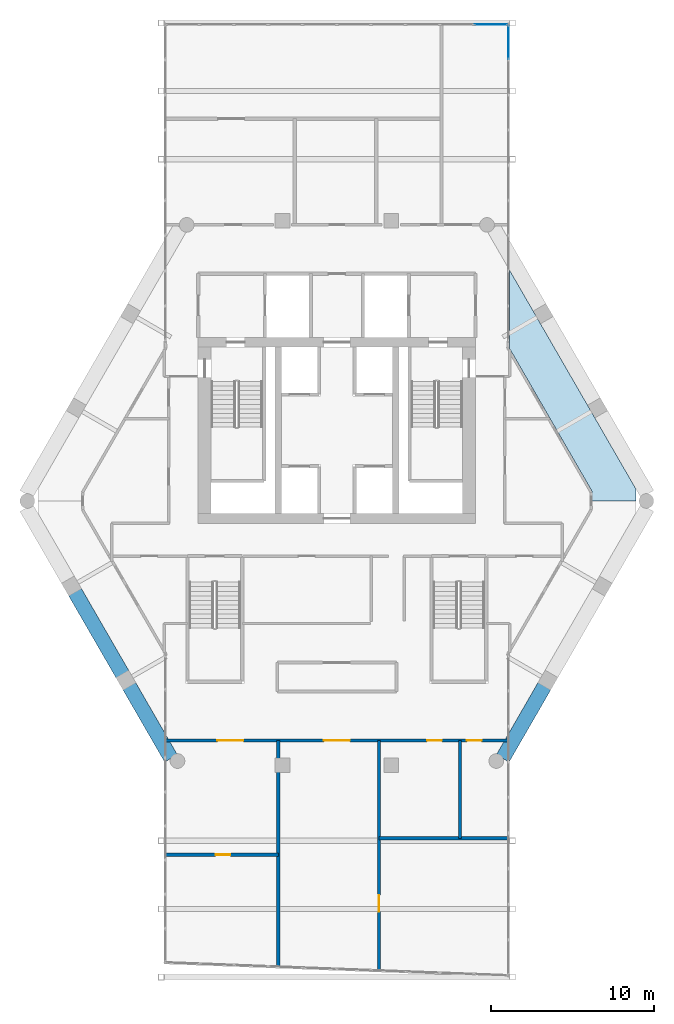
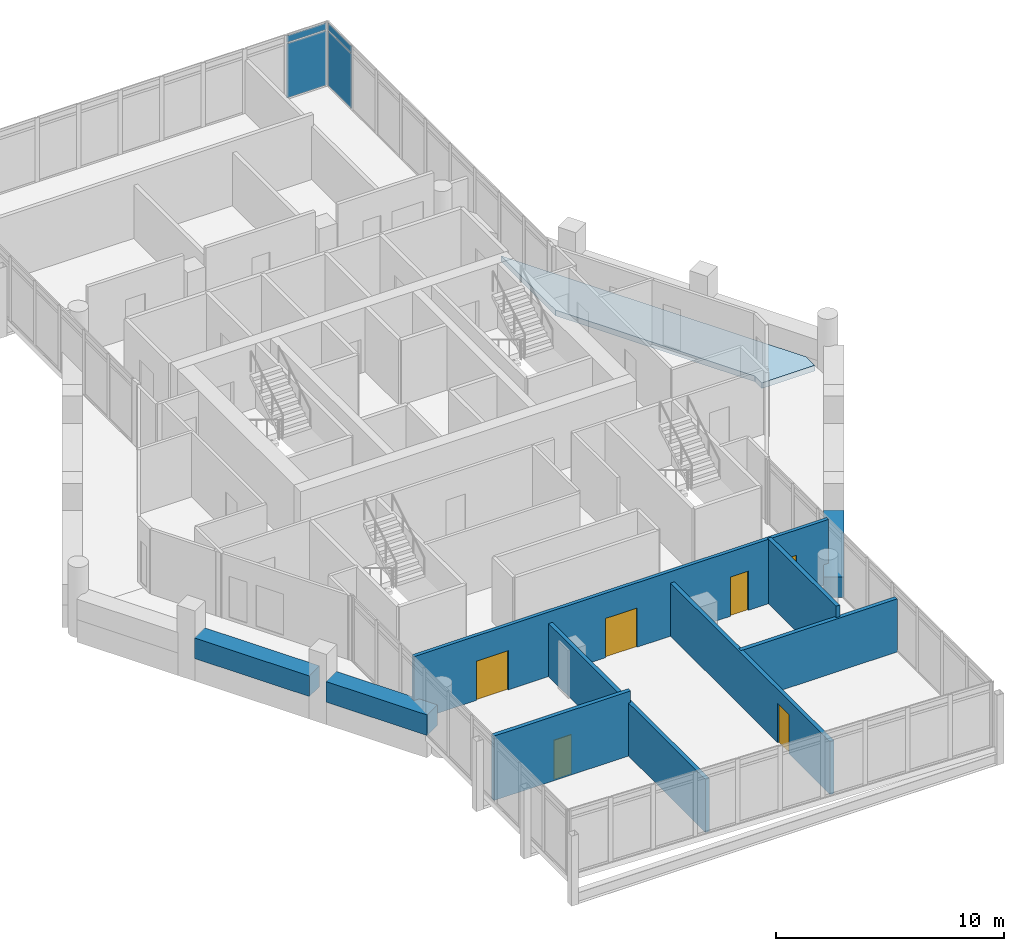
# One storey, part 20 of 25: 9 walls, 6 doors, 4 plates, 1 slab, 6 openings, 2 elements without a shape of their own.
"""IFC4 building model written with IfcOpenShell, lengths in metres."""

from ifc_helpers import new_model, si_unit, direction, frame, frame_2d, origin, origin_2d, place, context, subcontext, project, spatial, polyline, rectangle, outline, extrude, material, layer, layer_set, type_object, element, fill, aggregate, save


model = new_model("IFC4")

# Units and contexts
model_context = context("Model", 3, precision=1e-05, world=origin(), true_north=direction((0.0, 1.0)))
body_context = subcontext(model_context, "Body", "Model", "MODEL_VIEW")
ifc_project = project(units=[si_unit("LENGTHUNIT", "METRE"), si_unit("AREAUNIT", "SQUARE_METRE"), si_unit("VOLUMEUNIT", "CUBIC_METRE"), si_unit("PLANEANGLEUNIT", "RADIAN"), si_unit("MASSUNIT", "GRAM", prefix="KILO")], contexts=[model_context])

# Site, building, storey
site_placement = place(None, origin())
site = spatial("IfcSite", under=ifc_project, at=site_placement, CompositionType="ELEMENT")
building_placement = place(site_placement, origin())
building = spatial("IfcBuilding", under=site, at=building_placement, Name="Ostrander Bayou Hotel Tower", CompositionType="ELEMENT")
storey_placement = place(building_placement, frame((0.0, 0.0, 229.5)))
storey = spatial("IfcBuildingStorey", under=building, at=storey_placement, Name="L57", CompositionType="ELEMENT", Elevation=229.5)

# Curtain wall, plates
ifc_material_1 = material(Name="Aluminium and clear glass", Category="aluminium")
curtain_wall_type = type_object("IfcCurtainWallType", Name="CW-BAR glazed wall", PredefinedType="NOTDEFINED", material=ifc_material_1)
curtain_wall_1_placement = place(storey_placement, origin())
curtain_wall_1 = element("IfcCurtainWall", 1, at=curtain_wall_1_placement, inside=storey, type_object=curtain_wall_type, Name="CW-BAR L57:SB5N:T", PredefinedType="NOTDEFINED")
ifc_material_2 = material(Name="Clear laminated glass", Category="glass")
ifc_layer_1 = layer(ifc_material_2, 0.028076171875)
ifc_layer_set_1 = layer_set([ifc_layer_1], Name="CW-BR glazing panel 28 mm")
plate_type = type_object("IfcPlateType", Name="CW-BR glazing panel 28 mm", PredefinedType="CURTAIN_PANEL", material=ifc_layer_set_1)
plate_1_placement = place(storey_placement, frame((9.446044921875, 28.86669921875, 0.06005859375), z_axis=(0.0, 0.0, 1.0), x_axis=(1.0, 0.0, 0.0)))
plate_1 = element("IfcPlate", 2, at=plate_1_placement, type_object=plate_type, Name="CW-BAR panel 10.1", PredefinedType="CURTAIN_PANEL", context=body_context, shape_type="SweptSolid", body=[
    extrude(rectangle(XDim=2.012451171875, YDim=0.028076171875, at=origin_2d()), origin(), (0.0, 0.0, 1.0), 2.909912109375),
])
plate_2_placement = place(storey_placement, frame((9.446044921875, 28.86669921875, 3.02978515625), z_axis=(0.0, 0.0, 1.0), x_axis=(1.0, 0.0, 0.0)))
plate_2 = element("IfcPlate", 3, at=plate_2_placement, type_object=plate_type, Name="CW-BAR panel 10.2", PredefinedType="CURTAIN_PANEL", context=body_context, shape_type="SweptSolid", body=[
    extrude(rectangle(XDim=2.012451171875, YDim=0.028076171875, at=origin_2d()), origin(), (0.0, 0.0, 1.0), 0.360107421875),
])
aggregate(curtain_wall_1, [plate_1, plate_2])

curtain_wall_2_placement = place(storey_placement, origin())
curtain_wall_2 = element("IfcCurtainWall", 4, at=curtain_wall_2_placement, inside=storey, type_object=curtain_wall_type, Name="CW-BAR L57:SB5N:W", PredefinedType="NOTDEFINED")
plate_3_placement = place(storey_placement, frame((10.51220703125, 27.773681640625, 0.06005859375), z_axis=(0.0, 0.0, 1.0), x_axis=(0.0, 1.0, 0.0)))
plate_3 = element("IfcPlate", 5, at=plate_3_placement, type_object=plate_type, Name="CW-BAR panel 9.1", PredefinedType="CURTAIN_PANEL", context=body_context, shape_type="SweptSolid", body=[
    extrude(rectangle(XDim=2.065673828125, YDim=0.028076171875, at=origin_2d()), origin(), (0.0, 0.0, 1.0), 2.909912109375),
])
plate_4_placement = place(storey_placement, frame((10.51220703125, 27.773681640625, 3.02978515625), z_axis=(0.0, 0.0, 1.0), x_axis=(0.0, 1.0, 0.0)))
plate_4 = element("IfcPlate", 6, at=plate_4_placement, type_object=plate_type, Name="CW-BAR panel 9.2", PredefinedType="CURTAIN_PANEL", context=body_context, shape_type="SweptSolid", body=[
    extrude(rectangle(XDim=2.065673828125, YDim=0.028076171875, at=origin_2d()), origin(), (0.0, 0.0, 1.0), 0.360107421875),
])
aggregate(curtain_wall_2, [plate_3, plate_4])

# Slab
ifc_material_3 = material(Name="Concrete f'c 40 MPa", Category="concrete")
ifc_layer_2 = layer(ifc_material_3, 0.300048828125)
ifc_layer_set_2 = layer_set([ifc_layer_2], Name="SL4 loggia slab 300 mm f'c 40 MPa")
slab_type = type_object("IfcSlabType", Name="SL4 loggia slab 300 mm f'c 40 MPa", PredefinedType="FLOOR", material=ifc_layer_set_2)
slab_placement = place(storey_placement, frame((0.0, 0.0, -0.300048828125)))
element("IfcSlab", 7, at=slab_placement, inside=storey, type_object=slab_type, Name="SL4 LOGGIA L57 NE 1", PredefinedType="FLOOR", context=body_context, shape_type="SweptSolid", body=[
    extrude(outline(polyline([(10.587158203125, 13.807861328125), (18.2138671875, 0.59814453125), (18.315185546875, 0.422607421875), (18.315185546875, -0.327392578125), (15.63037109375, -0.327392578125), (15.63037109375, 0.272705078125), (10.587158203125, 9.0078125), (10.587158203125, 13.807861328125)])), origin(), (0.0, 0.0, 1.0), 0.300048828125),
])

# Walls
ifc_material_4 = material(Name="Limestone masonry", Category="masonry")
ifc_layer_3 = layer(ifc_material_4, 0.89990234375)
ifc_layer_set_3 = layer_set([ifc_layer_3], Name="PA2 limestone parapet 900 mm")
wall_type_1 = type_object("IfcWallType", Name="PA2 limestone parapet 900 mm", PredefinedType="PARAPET", material=ifc_layer_set_3)
wall_1_placement = place(storey_placement, frame((-16.047119140625, -5.905517578125, 0.0), z_axis=(0.0, 0.0, 1.0), x_axis=(0.500015433515, -0.866016493057, 0.0)))
element("IfcWall", 8, at=wall_1_placement, inside=storey, type_object=wall_type_1, Name="PA2 L57 SW-2", PredefinedType="PARAPET", context=body_context, shape_type="SweptSolid", body=[
    extrude(rectangle(XDim=5.818603515625, YDim=0.89990234375, at=frame_2d((2.9091796875, 0.0))), origin(), (0.0, 0.0, 1.0), 1.10009765625),
])
for number, where, z_axis, x_axis, name in (
    (9, (-12.7177734375, -11.672119140625, 0.0), (0.0, 0.0, 1.0), (0.500015879365, -0.866016235635, 0.0), "PA2 L57 SW-3"),
    (10, (10.160888671875, -16.1005859375, 0.0), (0.0, 0.0, 1.0), (0.500015879365, 0.866016235635, 0.0), "PA2 L57 SE-1"),
):
    element("IfcWall", number, at=place(storey_placement, frame(where, z_axis=z_axis, x_axis=x_axis)), inside=storey, type_object=wall_type_1, Name=name, PredefinedType="PARAPET", context=body_context, shape_type="SweptSolid", body=[
        extrude(rectangle(XDim=5.113525390625, YDim=0.89990234375, at=frame_2d((2.556640625, 0.0))), origin(), (0.0, 0.0, 1.0), 1.10009765625),
    ])

# Wall, opening, door
ifc_material_5 = material(Name="Gypsum board partition", Category="finish")
ifc_layer_4 = layer(ifc_material_5, 0.199951171875)
ifc_layer_set_4 = layer_set([ifc_layer_4], Name="PT3 demising wall 200 mm acoustic double stud, 1 hour")
wall_type_2 = type_object("IfcWallType", Name="PT3 demising wall 200 mm acoustic double stud, 1 hour", PredefinedType="PARTITIONING", material=ifc_layer_set_4)
wall_2_placement = place(storey_placement, frame((-10.4931640625, -22.0, 0.0), z_axis=(0.0, 0.0, 1.0), x_axis=(1.0, 0.0, 0.0)))
wall_2 = element("IfcWall", 11, at=wall_2_placement, inside=storey, type_object=wall_type_2, Name="sw:L57:510", PredefinedType="PARTITIONING", context=body_context, shape_type="SweptSolid", body=[
    extrude(rectangle(XDim=6.906005859375, YDim=0.199951171875, at=frame_2d((3.453125, 0.0))), origin(), (0.0, 0.0, 1.0), 3.449951171875),
])
opening_1_placement = place(wall_2_placement, frame((3.071044921875, 0.0, 0.0)))
opening_1 = element("IfcOpeningElement", 12, at=opening_1_placement, cuts=wall_2, Name="Opening T57-1202", PredefinedType="OPENING", context=body_context, shape_type="SweptSolid", body=[
    extrude(rectangle(XDim=0.89990234375, YDim=2.10009765625, at=frame_2d((0.449951171875, 1.050048828125))), frame((0.0, 0.10009765625, 0.0), z_axis=(0.0, -1.0, 0.0), x_axis=(1.0, 0.0, 0.0)), (0.0, 0.0, 1.0), 0.199951171875),
])
ifc_material_6 = material(Name="Timber door leaf", Category="wood")
door_type_1 = type_object("IfcDoorType", Name="D8 room door 900 x 2100 mm", OperationType="SINGLE_SWING_LEFT", PredefinedType="DOOR", material=ifc_material_6)
door_1_placement = place(opening_1_placement, origin())
door_1 = element("IfcDoor", 13, at=door_1_placement, inside=storey, type_object=door_type_1, Name="dr:L57:1202", OperationType="SINGLE_SWING_RIGHT", OverallHeight=2.10009765625, OverallWidth=0.89990234375, PredefinedType="DOOR", context=body_context, shape_type="SweptSolid", body=[
    extrude(rectangle(XDim=0.89990234375, YDim=2.10009765625, at=frame_2d((0.449951171875, 1.050048828125))), frame((0.0, 0.02490234375, 0.0), z_axis=(0.0, -1.0, 0.0), x_axis=(1.0, 0.0, 0.0)), (0.0, 0.0, 1.0), 0.050048828125),
])
fill(opening_1, door_1)

# Walls
wall_3_placement = place(storey_placement, frame((2.587158203125, -21.0, 0.0), z_axis=(0.0, 0.0, 1.0), x_axis=(1.0, 0.0, 0.0)))
element("IfcWall", 14, at=wall_3_placement, inside=storey, type_object=wall_type_2, Name="sw:L57:511", PredefinedType="PARTITIONING", context=body_context, shape_type="SweptSolid", body=[
    extrude(rectangle(XDim=7.906005859375, YDim=0.199951171875, at=frame_2d((3.953125, 0.0))), origin(), (0.0, 0.0, 1.0), 2.8388671875),
])
wall_4_placement = place(storey_placement, frame((-3.5869140625, -28.845458984375, 0.0), z_axis=(0.0, 0.0, 1.0), x_axis=(0.0, 1.0, 0.0)))
element("IfcWall", 15, at=wall_4_placement, inside=storey, type_object=wall_type_2, Name="sw:L57:513", PredefinedType="PARTITIONING", context=body_context, shape_type="SweptSolid", body=[
    extrude(rectangle(XDim=13.845458984375, YDim=0.199951171875, at=frame_2d((6.9228515625, 0.0))), origin(), (0.0, 0.0, 1.0), 2.8388671875),
])

# Wall, opening, door
wall_5_placement = place(storey_placement, frame((2.5869140625, -29.07861328125, 0.0), z_axis=(0.0, 0.0, 1.0), x_axis=(0.0, 1.0, 0.0)))
wall_5 = element("IfcWall", 16, at=wall_5_placement, inside=storey, type_object=wall_type_2, Name="sw:L57:516", PredefinedType="PARTITIONING", context=body_context, shape_type="SweptSolid", body=[
    extrude(rectangle(XDim=14.07861328125, YDim=0.199951171875, at=frame_2d((7.039306640625, 0.0))), origin(), (0.0, 0.0, 1.0), 2.8388671875),
])
opening_2_placement = place(wall_5_placement, frame((3.594970703125, 0.0, 0.0)))
opening_2 = element("IfcOpeningElement", 17, at=opening_2_placement, cuts=wall_5, Name="Opening T57-1203", PredefinedType="OPENING", context=body_context, shape_type="SweptSolid", body=[
    extrude(rectangle(XDim=1.0, YDim=2.10009765625, at=frame_2d((0.5, 1.050048828125))), frame((0.0, 0.10009765625, 0.0), z_axis=(0.0, -1.0, 0.0), x_axis=(1.0, 0.0, 0.0)), (0.0, 0.0, 1.0), 0.199951171875),
])
ifc_material_7 = material(Name="Timber door leaf", Category="wood")
door_type_2 = type_object("IfcDoorType", Name="D9 service door 1000 x 2100 mm, 30 minute", OperationType="SINGLE_SWING_LEFT", PredefinedType="DOOR", material=ifc_material_7)
door_2_placement = place(opening_2_placement, origin())
door_2 = element("IfcDoor", 18, at=door_2_placement, inside=storey, type_object=door_type_2, Name="dr:L57:1203", OperationType="SINGLE_SWING_LEFT", OverallHeight=2.10009765625, OverallWidth=1.0, PredefinedType="DOOR", context=body_context, shape_type="SweptSolid", body=[
    extrude(rectangle(XDim=1.0, YDim=2.10009765625, at=frame_2d((0.5, 1.050048828125))), frame((0.0, 0.02490234375, 0.0), z_axis=(0.0, -1.0, 0.0), x_axis=(1.0, 0.0, 0.0)), (0.0, 0.0, 1.0), 0.050048828125),
])
fill(opening_2, door_2)

# Wall
wall_6_placement = place(storey_placement, frame((7.547119140625, -21.0, 0.0), z_axis=(0.0, 0.0, 1.0), x_axis=(0.0, 1.0, 0.0)))
element("IfcWall", 19, at=wall_6_placement, inside=storey, type_object=wall_type_2, Name="sw:L57:518", PredefinedType="PARTITIONING", context=body_context, shape_type="SweptSolid", body=[
    extrude(rectangle(XDim=6.0, YDim=0.199951171875, at=frame_2d((3.0, 0.0))), origin(), (0.0, 0.0, 1.0), 3.449951171875),
])

# Wall, openings, doors
ifc_material_8 = material(Name="Gypsum board partition", Category="finish")
ifc_layer_5 = layer(ifc_material_8, 0.175048828125)
ifc_layer_set_5 = layer_set([ifc_layer_5], Name="PT4 corridor wall 175 mm, 1 hour")
wall_type_3 = type_object("IfcWallType", Name="PT4 corridor wall 175 mm, 1 hour", PredefinedType="PARTITIONING", material=ifc_layer_set_5)
wall_7_placement = place(storey_placement, frame((-10.4931640625, -15.0, 0.0), z_axis=(0.0, 0.0, 1.0), x_axis=(1.0, 0.0, 0.0)))
wall_7 = element("IfcWall", 20, at=wall_7_placement, inside=storey, type_object=wall_type_3, Name="sw:L57:500", PredefinedType="PARTITIONING", context=body_context, shape_type="SweptSolid", body=[
    extrude(rectangle(XDim=20.986328125, YDim=0.175048828125, at=frame_2d((10.4931640625, 0.0))), origin(), (0.0, 0.0, 1.0), 3.449951171875),
])
opening_3_placement = place(wall_7_placement, frame((3.169189453125, 0.0, 0.0)))
opening_3 = element("IfcOpeningElement", 21, at=opening_3_placement, cuts=wall_7, Name="Opening T57-1201", PredefinedType="OPENING", context=body_context, shape_type="SweptSolid", body=[
    extrude(rectangle(XDim=1.60009765625, YDim=2.10009765625, at=frame_2d((0.800048828125, 1.050048828125))), frame((0.0, 0.08740234375, 0.0), z_axis=(0.0, -1.0, 0.0), x_axis=(1.0, 0.0, 0.0)), (0.0, 0.0, 1.0), 0.175048828125),
])
opening_4_placement = place(wall_7_placement, frame((16.02587890625, 0.0, 0.0)))
opening_4 = element("IfcOpeningElement", 22, at=opening_4_placement, cuts=wall_7, Name="Opening T57-1204", PredefinedType="OPENING", context=body_context, shape_type="SweptSolid", body=[
    extrude(rectangle(XDim=0.89990234375, YDim=2.10009765625, at=frame_2d((0.449951171875, 1.050048828125))), frame((0.0, 0.08740234375, 0.0), z_axis=(0.0, -1.0, 0.0), x_axis=(1.0, 0.0, 0.0)), (0.0, 0.0, 1.0), 0.175048828125),
])
opening_5_placement = place(wall_7_placement, frame((18.461669921875, 0.0, 0.0)))
opening_5 = element("IfcOpeningElement", 23, at=opening_5_placement, cuts=wall_7, Name="Opening T57-1205", PredefinedType="OPENING", context=body_context, shape_type="SweptSolid", body=[
    extrude(rectangle(XDim=0.89990234375, YDim=2.10009765625, at=frame_2d((0.449951171875, 1.050048828125))), frame((0.0, 0.08740234375, 0.0), z_axis=(0.0, -1.0, 0.0), x_axis=(1.0, 0.0, 0.0)), (0.0, 0.0, 1.0), 0.175048828125),
])
opening_6_placement = place(wall_7_placement, frame((9.693115234375, 0.0, 0.0)))
opening_6 = element("IfcOpeningElement", 24, at=opening_6_placement, cuts=wall_7, Name="Opening T57-1206", PredefinedType="OPENING", context=body_context, shape_type="SweptSolid", body=[
    extrude(rectangle(XDim=1.60009765625, YDim=2.10009765625, at=frame_2d((0.800048828125, 1.050048828125))), frame((0.0, 0.08740234375, 0.0), z_axis=(0.0, -1.0, 0.0), x_axis=(1.0, 0.0, 0.0)), (0.0, 0.0, 1.0), 0.175048828125),
])
ifc_material_9 = material(Name="Timber door leaf", Category="wood")
door_type_3 = type_object("IfcDoorType", Name="D13 double door 1600 x 2100 mm, 1 hour", OperationType="SINGLE_SWING_LEFT", PredefinedType="DOOR", material=ifc_material_9)
door_3_placement = place(opening_3_placement, origin())
door_3 = element("IfcDoor", 25, at=door_3_placement, inside=storey, type_object=door_type_3, Name="dr:L57:1201", OperationType="DOUBLE_DOOR_SINGLE_SWING", OverallHeight=2.10009765625, OverallWidth=1.60009765625, PredefinedType="DOOR", context=body_context, shape_type="SweptSolid", body=[
    extrude(rectangle(XDim=1.60009765625, YDim=2.10009765625, at=frame_2d((0.800048828125, 1.050048828125))), frame((0.0, 0.02490234375, 0.0), z_axis=(0.0, -1.0, 0.0), x_axis=(1.0, 0.0, 0.0)), (0.0, 0.0, 1.0), 0.050048828125),
])
fill(opening_3, door_3)
door_4_placement = place(opening_6_placement, origin())
door_4 = element("IfcDoor", 26, at=door_4_placement, inside=storey, type_object=door_type_3, Name="dr:L57:1206", OperationType="DOUBLE_DOOR_SINGLE_SWING", OverallHeight=2.10009765625, OverallWidth=1.60009765625, PredefinedType="DOOR", context=body_context, shape_type="SweptSolid", body=[
    extrude(rectangle(XDim=1.60009765625, YDim=2.10009765625, at=frame_2d((0.800048828125, 1.050048828125))), frame((0.0, 0.02490234375, 0.0), z_axis=(0.0, -1.0, 0.0), x_axis=(1.0, 0.0, 0.0)), (0.0, 0.0, 1.0), 0.050048828125),
])
fill(opening_6, door_4)
door_5_placement = place(opening_4_placement, origin())
door_5 = element("IfcDoor", 27, at=door_5_placement, inside=storey, type_object=door_type_1, Name="dr:L57:1204", OperationType="SINGLE_SWING_RIGHT", OverallHeight=2.10009765625, OverallWidth=0.89990234375, PredefinedType="DOOR", context=body_context, shape_type="SweptSolid", body=[
    extrude(rectangle(XDim=0.89990234375, YDim=2.10009765625, at=frame_2d((0.449951171875, 1.050048828125))), frame((0.0, 0.02490234375, 0.0), z_axis=(0.0, -1.0, 0.0), x_axis=(1.0, 0.0, 0.0)), (0.0, 0.0, 1.0), 0.050048828125),
])
fill(opening_4, door_5)
door_6_placement = place(opening_5_placement, origin())
door_6 = element("IfcDoor", 28, at=door_6_placement, inside=storey, type_object=door_type_1, Name="dr:L57:1205", OperationType="SINGLE_SWING_LEFT", OverallHeight=2.10009765625, OverallWidth=0.89990234375, PredefinedType="DOOR", context=body_context, shape_type="SweptSolid", body=[
    extrude(rectangle(XDim=0.89990234375, YDim=2.10009765625, at=frame_2d((0.449951171875, 1.050048828125))), frame((0.0, 0.02490234375, 0.0), z_axis=(0.0, -1.0, 0.0), x_axis=(1.0, 0.0, 0.0)), (0.0, 0.0, 1.0), 0.050048828125),
])
fill(opening_5, door_6)

save(model, "model.ifc")
